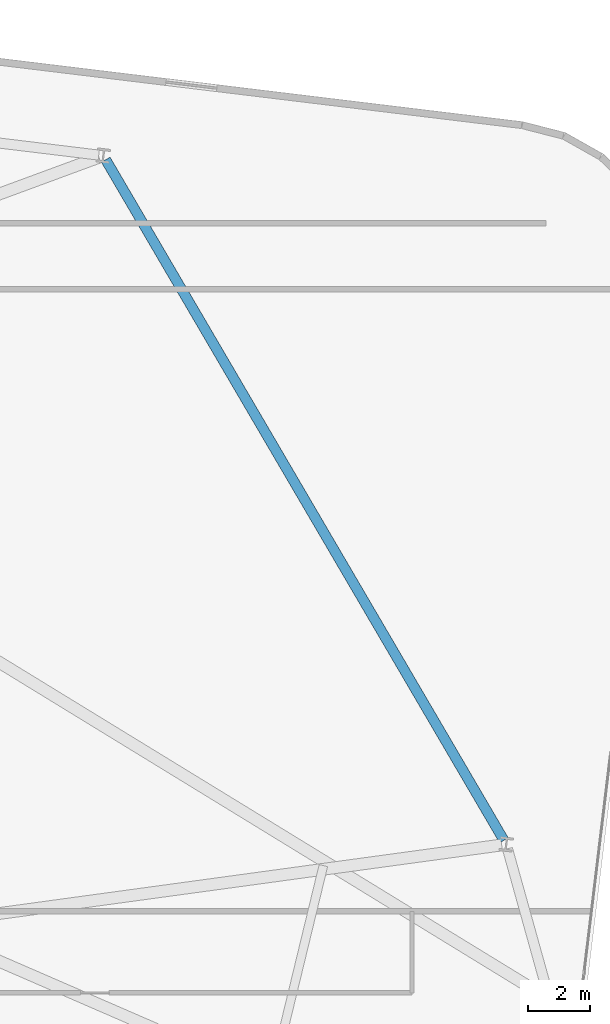
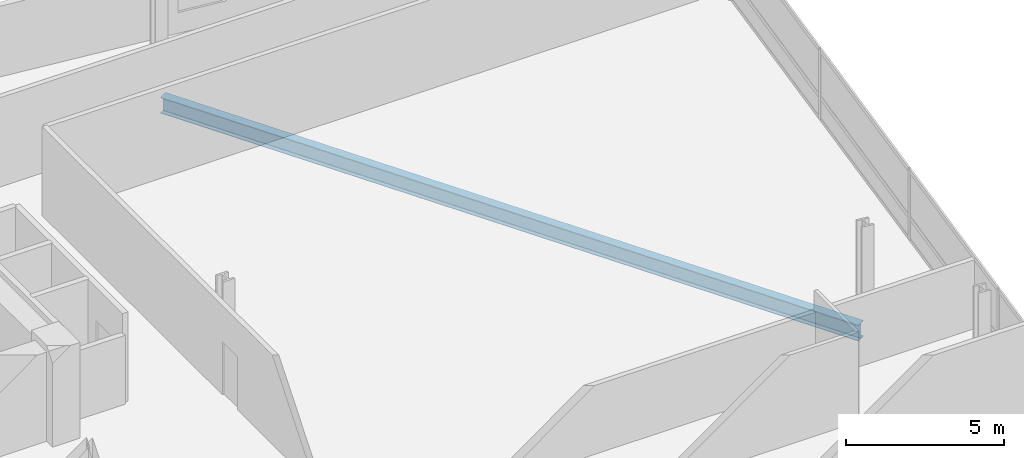
# One storey, part 17 of 25: 1 beam.
"""IFC4 building model written with IfcOpenShell, lengths in metres."""

from ifc_helpers import new_model, si_unit, direction, frame, origin, origin_2d, place, context, subcontext, project, spatial, i_section, extrude, material, material_profile, profile_set, type_object, element, save


model = new_model("IFC4")

# Units and contexts
model_context = context("Model", 3, precision=1e-05, world=origin(), true_north=direction((0.0, 1.0)))
body_context = subcontext(model_context, "Body", "Model", "MODEL_VIEW")
ifc_project = project(units=[si_unit("LENGTHUNIT", "METRE"), si_unit("AREAUNIT", "SQUARE_METRE"), si_unit("VOLUMEUNIT", "CUBIC_METRE"), si_unit("PLANEANGLEUNIT", "RADIAN"), si_unit("MASSUNIT", "GRAM", prefix="KILO")], contexts=[model_context])

# Site, building, storey
site_placement = place(None, origin())
site = spatial("IfcSite", under=ifc_project, at=site_placement, CompositionType="ELEMENT")
building_placement = place(site_placement, origin())
building = spatial("IfcBuilding", under=site, at=building_placement, Name="Varnelok Gate Tower", CompositionType="ELEMENT")
storey_placement = place(building_placement, frame((0.0, 0.0, 136.5)))
storey = spatial("IfcBuildingStorey", under=building, at=storey_placement, Name="L34", CompositionType="ELEMENT", Elevation=136.5)

# Beam
ifc_material = material(Name="Structural Steel ASTM A992 Grade 50", Category="steel")
ifc_material_profile = material_profile(ifc_material, i_section(OverallWidth=0.323974609375, OverallDepth=0.611083984375, WebThickness=0.0126953125, FlangeThickness=0.01904296875, FilletRadius=0.01806640625, at=origin_2d()), Name="W24X104")
ifc_profile_set = profile_set([ifc_material_profile], Name="Structural Steel ASTM A992 Grade 50")
beam_type = type_object("IfcBeamType", Name="BM-SPN-W24X104", PredefinedType="SPANDREL", material=ifc_profile_set)
beam_placement = place(storey_placement, frame((72.96875, 21.528076171875, -0.555419921875), z_axis=(-0.504960797965, 0.863142278259, 0.0), x_axis=(-0.863142278259, -0.504960797965, 0.0)))
element("IfcBeam", 1, at=beam_placement, inside=storey, type_object=beam_type, Name="L34 Perimeter Spandrel Beam 8", PredefinedType="SPANDREL", context=body_context, shape_type="SweptSolid", body=[
    extrude(i_section(OverallWidth=0.323974609375, OverallDepth=0.611083984375, WebThickness=0.0126953125, FlangeThickness=0.01904296875, FilletRadius=0.01806640625, at=origin_2d()), origin(), (0.0, 0.0, 1.0), 25.425537109375),
])

save(model, "model.ifc")
